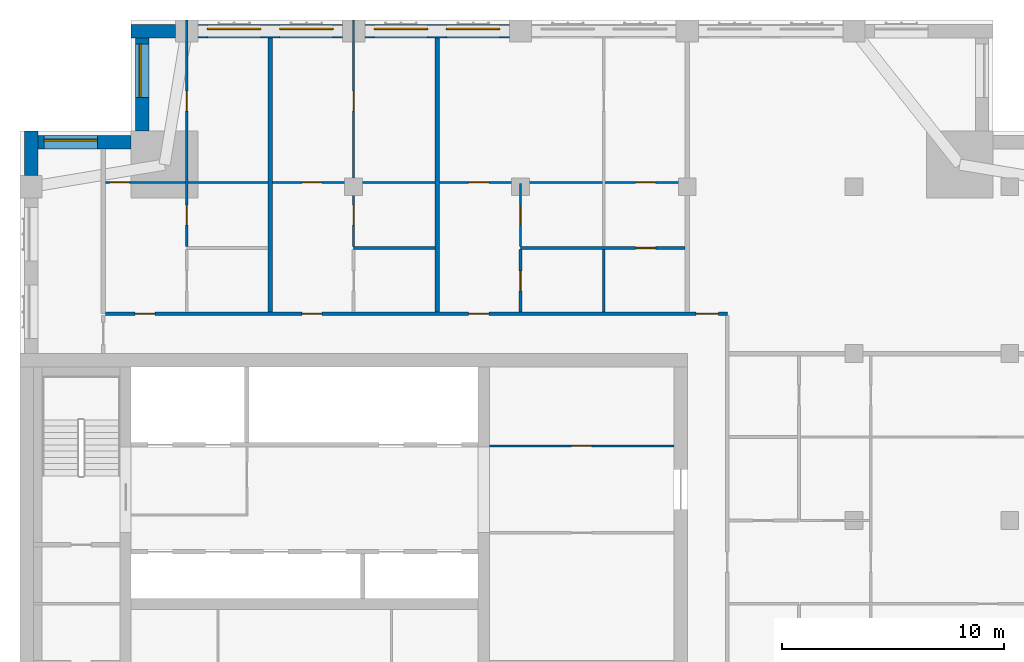
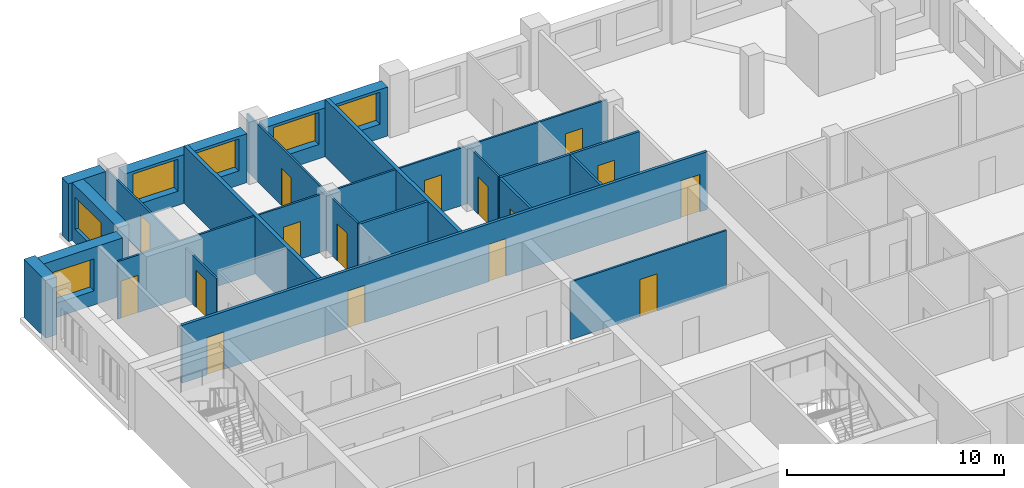
# One storey, part 7 of 11: 18 walls, 16 doors, 6 windows, 22 openings.
"""IFC4 building model written with IfcOpenShell, lengths in metres."""

from ifc_helpers import new_model, si_unit, direction, frame, frame_2d, origin, place, context, subcontext, project, spatial, rectangle, extrude, material, layer, layer_set, type_object, element, fill, save


model = new_model("IFC4")

# Units and contexts
model_context = context("Model", 3, precision=1e-05, world=origin(), true_north=direction((0.0, 1.0)))
body_context = subcontext(model_context, "Body", "Model", "MODEL_VIEW")
ifc_project = project(units=[si_unit("LENGTHUNIT", "METRE"), si_unit("AREAUNIT", "SQUARE_METRE"), si_unit("VOLUMEUNIT", "CUBIC_METRE"), si_unit("PLANEANGLEUNIT", "RADIAN"), si_unit("MASSUNIT", "GRAM", prefix="KILO")], contexts=[model_context])

# Site, building, storey
site_placement = place(None, origin())
site = spatial("IfcSite", under=ifc_project, at=site_placement, CompositionType="ELEMENT")
building_placement = place(site_placement, origin())
building = spatial("IfcBuilding", under=site, at=building_placement, Name="Tamorin Gate", CompositionType="ELEMENT")
storey_placement = place(building_placement, frame((0.0, 0.0, 247.699951171875)))
storey = spatial("IfcBuildingStorey", under=building, at=storey_placement, Name="L62", CompositionType="ELEMENT", Elevation=247.699951171875)

# Wall, openings, windows
ifc_material_1 = material(Name="Precast concrete C40/50", Category="concrete")
ifc_layer_1 = layer(ifc_material_1, 0.60009765625)
ifc_layer_set_1 = layer_set([ifc_layer_1], Name="Precast concrete C40/50")
wall_type_1 = type_object("IfcWallType", Name="Board-marked concrete facade panel 600", PredefinedType="SOLIDWALL", material=ifc_layer_set_1)
wall_1_placement = place(storey_placement, frame((52.0, 97.0, 0.0), z_axis=(0.0, 0.0, 1.0), x_axis=(-1.0, 0.0, 0.0)))
wall_1 = element("IfcWall", 1, at=wall_1_placement, inside=storey, type_object=wall_type_1, Name="Facade panel", PredefinedType="SOLIDWALL", context=body_context, shape_type="SweptSolid", body=[
    extrude(rectangle(XDim=6.5, YDim=0.60009765625, at=frame_2d((3.25, 0.0))), origin(), (0.0, 0.0, 1.0), 2.75),
])
opening_1_placement = place(wall_1_placement, frame((3.675048828125, 0.0, 0.800048828125)))
opening_1 = element("IfcOpeningElement", 2, at=opening_1_placement, cuts=wall_1, Name="Opening WN1", PredefinedType="OPENING", context=body_context, shape_type="SweptSolid", body=[
    extrude(rectangle(XDim=2.39990234375, YDim=1.800048828125, at=frame_2d((1.199951171875, 0.89990234375))), frame((0.0, 0.31005859375, 0.0), z_axis=(0.0, -1.0, 0.0), x_axis=(1.0, 0.0, 0.0)), (0.0, 0.0, 1.0), 0.6201171875),
])
opening_2_placement = place(wall_1_placement, frame((0.425048828125, 0.0, 0.800048828125)))
opening_2 = element("IfcOpeningElement", 3, at=opening_2_placement, cuts=wall_1, Name="Opening WN1", PredefinedType="OPENING", context=body_context, shape_type="SweptSolid", body=[
    extrude(rectangle(XDim=2.39990234375, YDim=1.800048828125, at=frame_2d((1.199951171875, 0.89990234375))), frame((0.0, 0.31005859375, 0.0), z_axis=(0.0, -1.0, 0.0), x_axis=(1.0, 0.0, 0.0)), (0.0, 0.0, 1.0), 0.6201171875),
])
ifc_material_2 = material(Name="Clear glass in aluminium frame", Category="aluminium")
window_type = type_object("IfcWindowType", Name="Deep-set window 2400x1800", PartitioningType="SINGLE_PANEL", PredefinedType="WINDOW", material=ifc_material_2)
window_1_placement = place(opening_1_placement, origin())
window_1 = element("IfcWindow", 4, at=window_1_placement, inside=storey, type_object=window_type, Name="Deep-set window", OverallHeight=1.800048828125, OverallWidth=2.39990234375, PartitioningType="SINGLE_PANEL", PredefinedType="WINDOW", context=body_context, shape_type="SweptSolid", body=[
    extrude(rectangle(XDim=2.39990234375, YDim=1.800048828125, at=frame_2d((1.199951171875, 0.89990234375))), frame((0.0, -0.070068359375, 0.0), z_axis=(0.0, -1.0, 0.0), x_axis=(1.0, 0.0, 0.0)), (0.0, 0.0, 1.0), 0.06005859375),
])
fill(opening_1, window_1)
window_2_placement = place(opening_2_placement, origin())
window_2 = element("IfcWindow", 5, at=window_2_placement, inside=storey, type_object=window_type, Name="Deep-set window", OverallHeight=1.800048828125, OverallWidth=2.39990234375, PartitioningType="SINGLE_PANEL", PredefinedType="WINDOW", context=body_context, shape_type="SweptSolid", body=[
    extrude(rectangle(XDim=2.39990234375, YDim=1.800048828125, at=frame_2d((1.199951171875, 0.89990234375))), frame((0.0, -0.070068359375, 0.0), z_axis=(0.0, -1.0, 0.0), x_axis=(1.0, 0.0, 0.0)), (0.0, 0.0, 1.0), 0.06005859375),
])
fill(opening_2, window_2)

wall_2_placement = place(storey_placement, frame((44.5, 97.0, 0.0), z_axis=(0.0, 0.0, 1.0), x_axis=(-1.0, 0.0, 0.0)))
wall_2 = element("IfcWall", 6, at=wall_2_placement, inside=storey, type_object=wall_type_1, Name="Facade panel", PredefinedType="SOLIDWALL", context=body_context, shape_type="SweptSolid", body=[
    extrude(rectangle(XDim=6.5, YDim=0.60009765625, at=frame_2d((3.25, 0.0))), origin(), (0.0, 0.0, 1.0), 2.75),
])
opening_3_placement = place(wall_2_placement, frame((3.675048828125, 0.0, 0.800048828125)))
opening_3 = element("IfcOpeningElement", 7, at=opening_3_placement, cuts=wall_2, Name="Opening WN1", PredefinedType="OPENING", context=body_context, shape_type="SweptSolid", body=[
    extrude(rectangle(XDim=2.39990234375, YDim=1.800048828125, at=frame_2d((1.199951171875, 0.89990234375))), frame((0.0, 0.31005859375, 0.0), z_axis=(0.0, -1.0, 0.0), x_axis=(1.0, 0.0, 0.0)), (0.0, 0.0, 1.0), 0.6201171875),
])
opening_4_placement = place(wall_2_placement, frame((0.425048828125, 0.0, 0.800048828125)))
opening_4 = element("IfcOpeningElement", 8, at=opening_4_placement, cuts=wall_2, Name="Opening WN1", PredefinedType="OPENING", context=body_context, shape_type="SweptSolid", body=[
    extrude(rectangle(XDim=2.39990234375, YDim=1.800048828125, at=frame_2d((1.199951171875, 0.89990234375))), frame((0.0, 0.31005859375, 0.0), z_axis=(0.0, -1.0, 0.0), x_axis=(1.0, 0.0, 0.0)), (0.0, 0.0, 1.0), 0.6201171875),
])
window_3_placement = place(opening_3_placement, origin())
window_3 = element("IfcWindow", 9, at=window_3_placement, inside=storey, type_object=window_type, Name="Deep-set window", OverallHeight=1.800048828125, OverallWidth=2.39990234375, PartitioningType="SINGLE_PANEL", PredefinedType="WINDOW", context=body_context, shape_type="SweptSolid", body=[
    extrude(rectangle(XDim=2.39990234375, YDim=1.800048828125, at=frame_2d((1.199951171875, 0.89990234375))), frame((0.0, -0.070068359375, 0.0), z_axis=(0.0, -1.0, 0.0), x_axis=(1.0, 0.0, 0.0)), (0.0, 0.0, 1.0), 0.06005859375),
])
fill(opening_3, window_3)
window_4_placement = place(opening_4_placement, origin())
window_4 = element("IfcWindow", 10, at=window_4_placement, inside=storey, type_object=window_type, Name="Deep-set window", OverallHeight=1.800048828125, OverallWidth=2.39990234375, PartitioningType="SINGLE_PANEL", PredefinedType="WINDOW", context=body_context, shape_type="SweptSolid", body=[
    extrude(rectangle(XDim=2.39990234375, YDim=1.800048828125, at=frame_2d((1.199951171875, 0.89990234375))), frame((0.0, -0.070068359375, 0.0), z_axis=(0.0, -1.0, 0.0), x_axis=(1.0, 0.0, 0.0)), (0.0, 0.0, 1.0), 0.06005859375),
])
fill(opening_4, window_4)

# Wall
wall_3_placement = place(storey_placement, frame((37.0, 97.0, 0.0), z_axis=(0.0, 0.0, 1.0), x_axis=(-1.0, 0.0, 0.0)))
element("IfcWall", 11, at=wall_3_placement, inside=storey, type_object=wall_type_1, Name="Facade panel", PredefinedType="SOLIDWALL", context=body_context, shape_type="SweptSolid", body=[
    extrude(rectangle(XDim=2.0, YDim=0.60009765625, at=frame_2d((1.0, 0.0))), origin(), (0.0, 0.0, 1.0), 3.25),
])

# Wall, opening, window
wall_4_placement = place(storey_placement, frame((35.5, 96.699951171875, 0.0), z_axis=(0.0, 0.0, 1.0), x_axis=(0.0, -1.0, 0.0)))
wall_4 = element("IfcWall", 12, at=wall_4_placement, inside=storey, type_object=wall_type_1, Name="Facade panel", PredefinedType="SOLIDWALL", context=body_context, shape_type="SweptSolid", body=[
    extrude(rectangle(XDim=4.199951171875, YDim=0.60009765625, at=frame_2d((2.10009765625, 0.0))), origin(), (0.0, 0.0, 1.0), 3.25),
])
opening_5_placement = place(wall_4_placement, frame((0.27490234375, 0.0, 0.800048828125)))
opening_5 = element("IfcOpeningElement", 13, at=opening_5_placement, cuts=wall_4, Name="Opening WN1", PredefinedType="OPENING", context=body_context, shape_type="SweptSolid", body=[
    extrude(rectangle(XDim=2.39990234375, YDim=1.800048828125, at=frame_2d((1.199951171875, 0.89990234375))), frame((0.0, 0.31005859375, 0.0), z_axis=(0.0, -1.0, 0.0), x_axis=(1.0, 0.0, 0.0)), (0.0, 0.0, 1.0), 0.6201171875),
])
window_5_placement = place(opening_5_placement, origin())
window_5 = element("IfcWindow", 14, at=window_5_placement, inside=storey, type_object=window_type, Name="Deep-set window", OverallHeight=1.800048828125, OverallWidth=2.39990234375, PartitioningType="SINGLE_PANEL", PredefinedType="WINDOW", context=body_context, shape_type="SweptSolid", body=[
    extrude(rectangle(XDim=2.39990234375, YDim=1.800048828125, at=frame_2d((1.199951171875, 0.89990234375))), frame((0.0, -0.070068359375, 0.0), z_axis=(0.0, -1.0, 0.0), x_axis=(1.0, 0.0, 0.0)), (0.0, 0.0, 1.0), 0.06005859375),
])
fill(opening_5, window_5)

wall_5_placement = place(storey_placement, frame((35.0, 92.0, 0.0), z_axis=(0.0, 0.0, 1.0), x_axis=(-1.0, 0.0, 0.0)))
wall_5 = element("IfcWall", 15, at=wall_5_placement, inside=storey, type_object=wall_type_1, Name="Facade panel", PredefinedType="SOLIDWALL", context=body_context, shape_type="SweptSolid", body=[
    extrude(rectangle(XDim=4.199951171875, YDim=0.60009765625, at=frame_2d((2.10009765625, 0.0))), origin(), (0.0, 0.0, 1.0), 3.25),
])
opening_6_placement = place(wall_5_placement, frame((1.52490234375, 0.0, 0.800048828125)))
opening_6 = element("IfcOpeningElement", 16, at=opening_6_placement, cuts=wall_5, Name="Opening WN1", PredefinedType="OPENING", context=body_context, shape_type="SweptSolid", body=[
    extrude(rectangle(XDim=2.39990234375, YDim=1.800048828125, at=frame_2d((1.199951171875, 0.89990234375))), frame((0.0, 0.31005859375, 0.0), z_axis=(0.0, -1.0, 0.0), x_axis=(1.0, 0.0, 0.0)), (0.0, 0.0, 1.0), 0.6201171875),
])
window_6_placement = place(opening_6_placement, origin())
window_6 = element("IfcWindow", 17, at=window_6_placement, inside=storey, type_object=window_type, Name="Deep-set window", OverallHeight=1.800048828125, OverallWidth=2.39990234375, PartitioningType="SINGLE_PANEL", PredefinedType="WINDOW", context=body_context, shape_type="SweptSolid", body=[
    extrude(rectangle(XDim=2.39990234375, YDim=1.800048828125, at=frame_2d((1.199951171875, 0.89990234375))), frame((0.0, -0.070068359375, 0.0), z_axis=(0.0, -1.0, 0.0), x_axis=(1.0, 0.0, 0.0)), (0.0, 0.0, 1.0), 0.06005859375),
])
fill(opening_6, window_6)

# Wall
wall_6_placement = place(storey_placement, frame((30.5, 92.5, 0.0), z_axis=(0.0, 0.0, 1.0), x_axis=(0.0, -1.0, 0.0)))
element("IfcWall", 18, at=wall_6_placement, inside=storey, type_object=wall_type_1, Name="Facade panel", PredefinedType="SOLIDWALL", context=body_context, shape_type="SweptSolid", body=[
    extrude(rectangle(XDim=2.0, YDim=0.60009765625, at=frame_2d((1.0, 0.0))), origin(), (0.0, 0.0, 1.0), 3.25),
])

# Wall, openings, doors
ifc_material_3 = material(Name="Gypsum board partition")
ifc_layer_2 = layer(ifc_material_3, 0.14990234375)
ifc_layer_set_2 = layer_set([ifc_layer_2], Name="Corridor wall 150")
wall_type_2 = type_object("IfcWallType", Name="Corridor wall 150", PredefinedType="PARTITIONING", material=ifc_layer_set_2)
wall_7_placement = place(storey_placement, frame((33.85009765625, 84.300048828125, 0.0), z_axis=(0.0, 0.0, 1.0), x_axis=(1.0, 0.0, 0.0)))
wall_7 = element("IfcWall", 19, at=wall_7_placement, inside=storey, type_object=wall_type_2, Name="Corridor wall 150", PredefinedType="PARTITIONING", context=body_context, shape_type="SweptSolid", body=[
    extrude(rectangle(XDim=27.949951171875, YDim=0.14990234375, at=frame_2d((13.97509765625, 0.0))), origin(), (0.0, 0.0, 1.0), 3.25),
])
opening_7_placement = place(wall_7_placement, frame((1.324951171875, 0.0, 0.0)))
opening_7 = element("IfcOpeningElement", 20, at=opening_7_placement, cuts=wall_7, Name="Opening DR8027", PredefinedType="OPENING", context=body_context, shape_type="SweptSolid", body=[
    extrude(rectangle(XDim=0.89990234375, YDim=2.10009765625, at=frame_2d((0.449951171875, 1.050048828125))), frame((0.0, 0.0849609375, 0.0), z_axis=(0.0, -1.0, 0.0), x_axis=(1.0, 0.0, 0.0)), (0.0, 0.0, 1.0), 0.169921875),
])
opening_8_placement = place(wall_7_placement, frame((8.824951171875, 0.0, 0.0)))
opening_8 = element("IfcOpeningElement", 21, at=opening_8_placement, cuts=wall_7, Name="Opening DR8032", PredefinedType="OPENING", context=body_context, shape_type="SweptSolid", body=[
    extrude(rectangle(XDim=0.89990234375, YDim=2.10009765625, at=frame_2d((0.449951171875, 1.050048828125))), frame((0.0, 0.0849609375, 0.0), z_axis=(0.0, -1.0, 0.0), x_axis=(1.0, 0.0, 0.0)), (0.0, 0.0, 1.0), 0.169921875),
])
opening_9_placement = place(wall_7_placement, frame((16.324951171875, 0.0, 0.0)))
opening_9 = element("IfcOpeningElement", 22, at=opening_9_placement, cuts=wall_7, Name="Opening DR8037", PredefinedType="OPENING", context=body_context, shape_type="SweptSolid", body=[
    extrude(rectangle(XDim=0.89990234375, YDim=2.10009765625, at=frame_2d((0.449951171875, 1.050048828125))), frame((0.0, 0.0849609375, 0.0), z_axis=(0.0, -1.0, 0.0), x_axis=(1.0, 0.0, 0.0)), (0.0, 0.0, 1.0), 0.169921875),
])
opening_10_placement = place(wall_7_placement, frame((26.550048828125, 0.0, 0.0)))
opening_10 = element("IfcOpeningElement", 23, at=opening_10_placement, cuts=wall_7, Name="Opening DR8044", PredefinedType="OPENING", context=body_context, shape_type="SweptSolid", body=[
    extrude(rectangle(XDim=1.0, YDim=2.10009765625, at=frame_2d((0.5, 1.050048828125))), frame((0.0, 0.0849609375, 0.0), z_axis=(0.0, -1.0, 0.0), x_axis=(1.0, 0.0, 0.0)), (0.0, 0.0, 1.0), 0.169921875),
])
ifc_material_4 = material(Name="Timber door leaf", Category="wood")
door_type_1 = type_object("IfcDoorType", Name="Door 1000 x 2100 FD30S", OperationType="NOTDEFINED", PredefinedType="DOOR", material=ifc_material_4)
door_1_placement = place(opening_10_placement, origin())
door_1 = element("IfcDoor", 24, at=door_1_placement, inside=storey, type_object=door_type_1, Name="Door DR8044", OperationType="SINGLE_SWING_LEFT", OverallHeight=2.10009765625, OverallWidth=1.0, PredefinedType="DOOR", context=body_context, shape_type="SweptSolid", body=[
    extrude(rectangle(XDim=1.0, YDim=2.10009765625, at=frame_2d((0.5, 1.050048828125))), frame((0.0, 0.02490234375, 0.0), z_axis=(0.0, -1.0, 0.0), x_axis=(1.0, 0.0, 0.0)), (0.0, 0.0, 1.0), 0.050048828125),
])
fill(opening_10, door_1)
door_type_2 = type_object("IfcDoorType", Name="Door 900 x 2100 FD30S", OperationType="NOTDEFINED", PredefinedType="DOOR", material=ifc_material_4)
door_2_placement = place(opening_7_placement, origin())
door_2 = element("IfcDoor", 25, at=door_2_placement, inside=storey, type_object=door_type_2, Name="Door DR8027", OperationType="SINGLE_SWING_LEFT", OverallHeight=2.10009765625, OverallWidth=0.89990234375, PredefinedType="DOOR", context=body_context, shape_type="SweptSolid", body=[
    extrude(rectangle(XDim=0.89990234375, YDim=2.10009765625, at=frame_2d((0.449951171875, 1.050048828125))), frame((0.0, 0.02490234375, 0.0), z_axis=(0.0, -1.0, 0.0), x_axis=(1.0, 0.0, 0.0)), (0.0, 0.0, 1.0), 0.050048828125),
])
fill(opening_7, door_2)
door_3_placement = place(opening_8_placement, origin())
door_3 = element("IfcDoor", 26, at=door_3_placement, inside=storey, type_object=door_type_2, Name="Door DR8032", OperationType="SINGLE_SWING_LEFT", OverallHeight=2.10009765625, OverallWidth=0.89990234375, PredefinedType="DOOR", context=body_context, shape_type="SweptSolid", body=[
    extrude(rectangle(XDim=0.89990234375, YDim=2.10009765625, at=frame_2d((0.449951171875, 1.050048828125))), frame((0.0, 0.02490234375, 0.0), z_axis=(0.0, -1.0, 0.0), x_axis=(1.0, 0.0, 0.0)), (0.0, 0.0, 1.0), 0.050048828125),
])
fill(opening_8, door_3)
door_4_placement = place(opening_9_placement, origin())
door_4 = element("IfcDoor", 27, at=door_4_placement, inside=storey, type_object=door_type_2, Name="Door DR8037", OperationType="SINGLE_SWING_LEFT", OverallHeight=2.10009765625, OverallWidth=0.89990234375, PredefinedType="DOOR", context=body_context, shape_type="SweptSolid", body=[
    extrude(rectangle(XDim=0.89990234375, YDim=2.10009765625, at=frame_2d((0.449951171875, 1.050048828125))), frame((0.0, 0.02490234375, 0.0), z_axis=(0.0, -1.0, 0.0), x_axis=(1.0, 0.0, 0.0)), (0.0, 0.0, 1.0), 0.050048828125),
])
fill(opening_9, door_4)

# Walls
ifc_layer_3 = layer(ifc_material_3, 0.199951171875)
ifc_layer_set_3 = layer_set([ifc_layer_3], Name="Demising wall 200")
wall_type_3 = type_object("IfcWallType", Name="Demising wall 200", PredefinedType="PARTITIONING", material=ifc_layer_set_3)
for number, where, z_axis, x_axis, name in (
    (28, (41.25, 84.375, 0.0), (0.0, 0.0, 1.0), (0.0, 1.0, 0.0), "Demising wall 200"),
    (29, (48.75, 84.375, 0.0), (0.0, 0.0, 1.0), (0.0, 1.0, 0.0), "Demising wall 200"),
):
    element("IfcWall", number, at=place(storey_placement, frame(where, z_axis=z_axis, x_axis=x_axis)), inside=storey, type_object=wall_type_3, Name=name, PredefinedType="PARTITIONING", context=body_context, shape_type="SweptSolid", body=[
        extrude(rectangle(XDim=12.31494140625, YDim=0.199951171875, at=frame_2d((6.157470703125, 0.0))), origin(), (0.0, 0.0, 1.0), 3.25),
    ])

# Wall, openings, doors
ifc_layer_4 = layer(ifc_material_3, 0.10009765625)
ifc_layer_set_4 = layer_set([ifc_layer_4], Name="Room partition 100")
wall_type_4 = type_object("IfcWallType", Name="Room partition 100", PredefinedType="PARTITIONING", material=ifc_layer_set_4)
wall_8_placement = place(storey_placement, frame((33.85009765625, 90.199951171875, 0.0), z_axis=(0.0, 0.0, 1.0), x_axis=(1.0, 0.0, 0.0)))
wall_8 = element("IfcWall", 30, at=wall_8_placement, inside=storey, type_object=wall_type_4, Name="Room partition 100", PredefinedType="PARTITIONING", context=body_context, shape_type="SweptSolid", body=[
    extrude(rectangle(XDim=26.0498046875, YDim=0.10009765625, at=frame_2d((13.02490234375, 0.0))), origin(), (0.0, 0.0, 1.0), 3.25),
])
opening_11_placement = place(wall_8_placement, frame((0.175048828125, 0.0, 0.0)))
opening_11 = element("IfcOpeningElement", 31, at=opening_11_placement, cuts=wall_8, Name="Opening DR8028", PredefinedType="OPENING", context=body_context, shape_type="SweptSolid", body=[
    extrude(rectangle(XDim=0.89990234375, YDim=2.10009765625, at=frame_2d((0.449951171875, 1.050048828125))), frame((0.0, 0.06005859375, 0.0), z_axis=(0.0, -1.0, 0.0), x_axis=(1.0, 0.0, 0.0)), (0.0, 0.0, 1.0), 0.1201171875),
])
opening_12_placement = place(wall_8_placement, frame((8.824951171875, 0.0, 0.0)))
opening_12 = element("IfcOpeningElement", 32, at=opening_12_placement, cuts=wall_8, Name="Opening DR8033", PredefinedType="OPENING", context=body_context, shape_type="SweptSolid", body=[
    extrude(rectangle(XDim=0.89990234375, YDim=2.10009765625, at=frame_2d((0.449951171875, 1.050048828125))), frame((0.0, 0.06005859375, 0.0), z_axis=(0.0, -1.0, 0.0), x_axis=(1.0, 0.0, 0.0)), (0.0, 0.0, 1.0), 0.1201171875),
])
opening_13_placement = place(wall_8_placement, frame((16.324951171875, 0.0, 0.0)))
opening_13 = element("IfcOpeningElement", 33, at=opening_13_placement, cuts=wall_8, Name="Opening DR8038", PredefinedType="OPENING", context=body_context, shape_type="SweptSolid", body=[
    extrude(rectangle(XDim=0.89990234375, YDim=2.10009765625, at=frame_2d((0.449951171875, 1.050048828125))), frame((0.0, 0.06005859375, 0.0), z_axis=(0.0, -1.0, 0.0), x_axis=(1.0, 0.0, 0.0)), (0.0, 0.0, 1.0), 0.1201171875),
])
opening_14_placement = place(wall_8_placement, frame((23.824951171875, 0.0, 0.0)))
opening_14 = element("IfcOpeningElement", 34, at=opening_14_placement, cuts=wall_8, Name="Opening DR8041", PredefinedType="OPENING", context=body_context, shape_type="SweptSolid", body=[
    extrude(rectangle(XDim=0.89990234375, YDim=2.10009765625, at=frame_2d((0.449951171875, 1.050048828125))), frame((0.0, 0.06005859375, 0.0), z_axis=(0.0, -1.0, 0.0), x_axis=(1.0, 0.0, 0.0)), (0.0, 0.0, 1.0), 0.1201171875),
])
door_type_3 = type_object("IfcDoorType", Name="Door 900 x 2100", OperationType="NOTDEFINED", PredefinedType="DOOR", material=ifc_material_4)
door_5_placement = place(opening_11_placement, origin())
door_5 = element("IfcDoor", 35, at=door_5_placement, inside=storey, type_object=door_type_3, Name="Door DR8028", OperationType="SINGLE_SWING_RIGHT", OverallHeight=2.10009765625, OverallWidth=0.89990234375, PredefinedType="DOOR", context=body_context, shape_type="SweptSolid", body=[
    extrude(rectangle(XDim=0.89990234375, YDim=2.10009765625, at=frame_2d((0.449951171875, 1.050048828125))), frame((0.0, 0.02490234375, 0.0), z_axis=(0.0, -1.0, 0.0), x_axis=(1.0, 0.0, 0.0)), (0.0, 0.0, 1.0), 0.050048828125),
])
fill(opening_11, door_5)
door_6_placement = place(opening_12_placement, origin())
door_6 = element("IfcDoor", 36, at=door_6_placement, inside=storey, type_object=door_type_3, Name="Door DR8033", OperationType="SINGLE_SWING_RIGHT", OverallHeight=2.10009765625, OverallWidth=0.89990234375, PredefinedType="DOOR", context=body_context, shape_type="SweptSolid", body=[
    extrude(rectangle(XDim=0.89990234375, YDim=2.10009765625, at=frame_2d((0.449951171875, 1.050048828125))), frame((0.0, 0.02490234375, 0.0), z_axis=(0.0, -1.0, 0.0), x_axis=(1.0, 0.0, 0.0)), (0.0, 0.0, 1.0), 0.050048828125),
])
fill(opening_12, door_6)
door_7_placement = place(opening_13_placement, origin())
door_7 = element("IfcDoor", 37, at=door_7_placement, inside=storey, type_object=door_type_3, Name="Door DR8038", OperationType="SINGLE_SWING_RIGHT", OverallHeight=2.10009765625, OverallWidth=0.89990234375, PredefinedType="DOOR", context=body_context, shape_type="SweptSolid", body=[
    extrude(rectangle(XDim=0.89990234375, YDim=2.10009765625, at=frame_2d((0.449951171875, 1.050048828125))), frame((0.0, 0.02490234375, 0.0), z_axis=(0.0, -1.0, 0.0), x_axis=(1.0, 0.0, 0.0)), (0.0, 0.0, 1.0), 0.050048828125),
])
fill(opening_13, door_7)
door_8_placement = place(opening_14_placement, origin())
door_8 = element("IfcDoor", 38, at=door_8_placement, inside=storey, type_object=door_type_3, Name="Door DR8041", OperationType="SINGLE_SWING_RIGHT", OverallHeight=2.10009765625, OverallWidth=0.89990234375, PredefinedType="DOOR", context=body_context, shape_type="SweptSolid", body=[
    extrude(rectangle(XDim=0.89990234375, YDim=2.10009765625, at=frame_2d((0.449951171875, 1.050048828125))), frame((0.0, 0.02490234375, 0.0), z_axis=(0.0, -1.0, 0.0), x_axis=(1.0, 0.0, 0.0)), (0.0, 0.0, 1.0), 0.050048828125),
])
fill(opening_14, door_8)

wall_9_placement = place(storey_placement, frame((37.5, 87.3125, 0.0), z_axis=(0.0, 0.0, 1.0), x_axis=(0.0, 1.0, 0.0)))
wall_9 = element("IfcWall", 39, at=wall_9_placement, inside=storey, type_object=wall_type_4, Name="Room partition 100", PredefinedType="PARTITIONING", context=body_context, shape_type="SweptSolid", body=[
    extrude(rectangle(XDim=10.1875, YDim=0.10009765625, at=frame_2d((5.09375, 0.0))), origin(), (0.0, 0.0, 1.0), 2.75),
])
opening_15_placement = place(wall_9_placement, frame((0.96240234375, 0.0, 0.0)))
opening_15 = element("IfcOpeningElement", 40, at=opening_15_placement, cuts=wall_9, Name="Opening DR8029", PredefinedType="OPENING", context=body_context, shape_type="SweptSolid", body=[
    extrude(rectangle(XDim=0.89990234375, YDim=2.10009765625, at=frame_2d((0.449951171875, 1.050048828125))), frame((0.0, 0.06005859375, 0.0), z_axis=(0.0, -1.0, 0.0), x_axis=(1.0, 0.0, 0.0)), (0.0, 0.0, 1.0), 0.1201171875),
])
opening_16_placement = place(wall_9_placement, frame((6.08740234375, 0.0, 0.0)))
opening_16 = element("IfcOpeningElement", 41, at=opening_16_placement, cuts=wall_9, Name="Opening DR8031", PredefinedType="OPENING", context=body_context, shape_type="SweptSolid", body=[
    extrude(rectangle(XDim=0.89990234375, YDim=2.10009765625, at=frame_2d((0.449951171875, 1.050048828125))), frame((0.0, 0.06005859375, 0.0), z_axis=(0.0, -1.0, 0.0), x_axis=(1.0, 0.0, 0.0)), (0.0, 0.0, 1.0), 0.1201171875),
])
door_9_placement = place(opening_15_placement, origin())
door_9 = element("IfcDoor", 42, at=door_9_placement, inside=storey, type_object=door_type_3, Name="Door DR8029", OperationType="SINGLE_SWING_RIGHT", OverallHeight=2.10009765625, OverallWidth=0.89990234375, PredefinedType="DOOR", context=body_context, shape_type="SweptSolid", body=[
    extrude(rectangle(XDim=0.89990234375, YDim=2.10009765625, at=frame_2d((0.449951171875, 1.050048828125))), frame((0.0, 0.02490234375, 0.0), z_axis=(0.0, -1.0, 0.0), x_axis=(1.0, 0.0, 0.0)), (0.0, 0.0, 1.0), 0.050048828125),
])
fill(opening_15, door_9)
door_10_placement = place(opening_16_placement, origin())
door_10 = element("IfcDoor", 43, at=door_10_placement, inside=storey, type_object=door_type_3, Name="Door DR8031", OperationType="SINGLE_SWING_LEFT", OverallHeight=2.10009765625, OverallWidth=0.89990234375, PredefinedType="DOOR", context=body_context, shape_type="SweptSolid", body=[
    extrude(rectangle(XDim=0.89990234375, YDim=2.10009765625, at=frame_2d((0.449951171875, 1.050048828125))), frame((0.0, 0.02490234375, 0.0), z_axis=(0.0, -1.0, 0.0), x_axis=(1.0, 0.0, 0.0)), (0.0, 0.0, 1.0), 0.050048828125),
])
fill(opening_16, door_10)

wall_10_placement = place(storey_placement, frame((45.0, 87.3125, 0.0), z_axis=(0.0, 0.0, 1.0), x_axis=(0.0, 1.0, 0.0)))
wall_10 = element("IfcWall", 44, at=wall_10_placement, inside=storey, type_object=wall_type_4, Name="Room partition 100", PredefinedType="PARTITIONING", context=body_context, shape_type="SweptSolid", body=[
    extrude(rectangle(XDim=10.1875, YDim=0.10009765625, at=frame_2d((5.09375, 0.0))), origin(), (0.0, 0.0, 1.0), 3.25),
])
opening_17_placement = place(wall_10_placement, frame((0.96240234375, 0.0, 0.0)))
opening_17 = element("IfcOpeningElement", 45, at=opening_17_placement, cuts=wall_10, Name="Opening DR8034", PredefinedType="OPENING", context=body_context, shape_type="SweptSolid", body=[
    extrude(rectangle(XDim=0.89990234375, YDim=2.10009765625, at=frame_2d((0.449951171875, 1.050048828125))), frame((0.0, 0.06005859375, 0.0), z_axis=(0.0, -1.0, 0.0), x_axis=(1.0, 0.0, 0.0)), (0.0, 0.0, 1.0), 0.1201171875),
])
opening_18_placement = place(wall_10_placement, frame((6.08740234375, 0.0, 0.0)))
opening_18 = element("IfcOpeningElement", 46, at=opening_18_placement, cuts=wall_10, Name="Opening DR8036", PredefinedType="OPENING", context=body_context, shape_type="SweptSolid", body=[
    extrude(rectangle(XDim=0.89990234375, YDim=2.10009765625, at=frame_2d((0.449951171875, 1.050048828125))), frame((0.0, 0.06005859375, 0.0), z_axis=(0.0, -1.0, 0.0), x_axis=(1.0, 0.0, 0.0)), (0.0, 0.0, 1.0), 0.1201171875),
])
door_11_placement = place(opening_17_placement, origin())
door_11 = element("IfcDoor", 47, at=door_11_placement, inside=storey, type_object=door_type_3, Name="Door DR8034", OperationType="SINGLE_SWING_RIGHT", OverallHeight=2.10009765625, OverallWidth=0.89990234375, PredefinedType="DOOR", context=body_context, shape_type="SweptSolid", body=[
    extrude(rectangle(XDim=0.89990234375, YDim=2.10009765625, at=frame_2d((0.449951171875, 1.050048828125))), frame((0.0, 0.02490234375, 0.0), z_axis=(0.0, -1.0, 0.0), x_axis=(1.0, 0.0, 0.0)), (0.0, 0.0, 1.0), 0.050048828125),
])
fill(opening_17, door_11)
door_12_placement = place(opening_18_placement, origin())
door_12 = element("IfcDoor", 48, at=door_12_placement, inside=storey, type_object=door_type_3, Name="Door DR8036", OperationType="SINGLE_SWING_LEFT", OverallHeight=2.10009765625, OverallWidth=0.89990234375, PredefinedType="DOOR", context=body_context, shape_type="SweptSolid", body=[
    extrude(rectangle(XDim=0.89990234375, YDim=2.10009765625, at=frame_2d((0.449951171875, 1.050048828125))), frame((0.0, 0.02490234375, 0.0), z_axis=(0.0, -1.0, 0.0), x_axis=(1.0, 0.0, 0.0)), (0.0, 0.0, 1.0), 0.050048828125),
])
fill(opening_18, door_12)

# Wall, opening, door
wall_11_placement = place(storey_placement, frame((52.5, 87.3125, 0.0), z_axis=(0.0, 0.0, 1.0), x_axis=(0.0, 1.0, 0.0)))
wall_11 = element("IfcWall", 49, at=wall_11_placement, inside=storey, type_object=wall_type_4, Name="Room partition 100", PredefinedType="PARTITIONING", context=body_context, shape_type="SweptSolid", body=[
    extrude(rectangle(XDim=2.83740234375, YDim=0.10009765625, at=frame_2d((1.418701171875, 0.0))), origin(), (0.0, 0.0, 1.0), 3.25),
])
opening_19_placement = place(wall_11_placement, frame((0.96240234375, 0.0, 0.0)))
opening_19 = element("IfcOpeningElement", 50, at=opening_19_placement, cuts=wall_11, Name="Opening DR8039", PredefinedType="OPENING", context=body_context, shape_type="SweptSolid", body=[
    extrude(rectangle(XDim=0.89990234375, YDim=2.10009765625, at=frame_2d((0.449951171875, 1.050048828125))), frame((0.0, 0.06005859375, 0.0), z_axis=(0.0, -1.0, 0.0), x_axis=(1.0, 0.0, 0.0)), (0.0, 0.0, 1.0), 0.1201171875),
])
door_13_placement = place(opening_19_placement, origin())
door_13 = element("IfcDoor", 51, at=door_13_placement, inside=storey, type_object=door_type_3, Name="Door DR8039", OperationType="SINGLE_SWING_RIGHT", OverallHeight=2.10009765625, OverallWidth=0.89990234375, PredefinedType="DOOR", context=body_context, shape_type="SweptSolid", body=[
    extrude(rectangle(XDim=0.89990234375, YDim=2.10009765625, at=frame_2d((0.449951171875, 1.050048828125))), frame((0.0, 0.02490234375, 0.0), z_axis=(0.0, -1.0, 0.0), x_axis=(1.0, 0.0, 0.0)), (0.0, 0.0, 1.0), 0.050048828125),
])
fill(opening_19, door_13)

ifc_layer_5 = layer(ifc_material_3, 0.10009765625)
ifc_layer_set_5 = layer_set([ifc_layer_5], Name="Service room partition 100 EI 60")
wall_type_5 = type_object("IfcWallType", Name="Service room partition 100 EI 60", PredefinedType="PARTITIONING", material=ifc_layer_set_5)
wall_12_placement = place(storey_placement, frame((51.10009765625, 78.35009765625, 0.0), z_axis=(0.0, 0.0, 1.0), x_axis=(1.0, 0.0, 0.0)))
wall_12 = element("IfcWall", 52, at=wall_12_placement, inside=storey, type_object=wall_type_5, Name="Service room wall", PredefinedType="PARTITIONING", context=body_context, shape_type="SweptSolid", body=[
    extrude(rectangle(XDim=8.2998046875, YDim=0.10009765625, at=frame_2d((4.14990234375, 0.0))), origin(), (0.0, 0.0, 1.0), 3.25),
])
opening_20_placement = place(wall_12_placement, frame((3.699951171875, 0.0, 0.0)))
opening_20 = element("IfcOpeningElement", 53, at=opening_20_placement, cuts=wall_12, Name="Opening DK1", PredefinedType="OPENING", context=body_context, shape_type="SweptSolid", body=[
    extrude(rectangle(XDim=0.89990234375, YDim=2.10009765625, at=frame_2d((0.449951171875, 1.050048828125))), frame((0.0, 0.06005859375, 0.0), z_axis=(0.0, -1.0, 0.0), x_axis=(1.0, 0.0, 0.0)), (0.0, 0.0, 1.0), 0.1201171875),
])
ifc_material_5 = material(Name="Timber fire door", Category="wood")
door_type_4 = type_object("IfcDoorType", Name="Service room door 900 x 2100 EI 60", OperationType="SINGLE_SWING_LEFT", PredefinedType="DOOR", material=ifc_material_5)
door_14_placement = place(opening_20_placement, origin())
door_14 = element("IfcDoor", 54, at=door_14_placement, inside=storey, type_object=door_type_4, Name="Door Pantry", OperationType="SINGLE_SWING_RIGHT", OverallHeight=2.10009765625, OverallWidth=0.89990234375, PredefinedType="DOOR", context=body_context, shape_type="SweptSolid", body=[
    extrude(rectangle(XDim=0.89990234375, YDim=2.10009765625, at=frame_2d((0.449951171875, 1.050048828125))), frame((0.0, 0.02490234375, 0.0), z_axis=(0.0, -1.0, 0.0), x_axis=(1.0, 0.0, 0.0)), (0.0, 0.0, 1.0), 0.050048828125),
])
fill(opening_20, door_14)

# Wall
ifc_layer_6 = layer(ifc_material_3, 0.125)
ifc_layer_set_6 = layer_set([ifc_layer_6], Name="Wet wall 125")
wall_type_6 = type_object("IfcWallType", Name="Wet wall 125", PredefinedType="PARTITIONING", material=ifc_layer_set_6)
wall_13_placement = place(storey_placement, frame((45.0, 87.25, 0.0), z_axis=(0.0, 0.0, 1.0), x_axis=(1.0, 0.0, 0.0)))
element("IfcWall", 55, at=wall_13_placement, inside=storey, type_object=wall_type_6, Name="Wet wall 125", PredefinedType="PARTITIONING", context=body_context, shape_type="SweptSolid", body=[
    extrude(rectangle(XDim=3.64990234375, YDim=0.125, at=frame_2d((1.824951171875, 0.0))), origin(), (0.0, 0.0, 1.0), 3.25),
])

# Wall, opening, door
wall_14_placement = place(storey_placement, frame((52.5, 87.25, 0.0), z_axis=(0.0, 0.0, 1.0), x_axis=(1.0, 0.0, 0.0)))
wall_14 = element("IfcWall", 56, at=wall_14_placement, inside=storey, type_object=wall_type_6, Name="Wet wall 125", PredefinedType="PARTITIONING", context=body_context, shape_type="SweptSolid", body=[
    extrude(rectangle(XDim=7.39990234375, YDim=0.125, at=frame_2d((3.699951171875, 0.0))), origin(), (0.0, 0.0, 1.0), 3.25),
])
opening_21_placement = place(wall_14_placement, frame((5.175048828125, 0.0, 0.0)))
opening_21 = element("IfcOpeningElement", 57, at=opening_21_placement, cuts=wall_14, Name="Opening DR8042", PredefinedType="OPENING", context=body_context, shape_type="SweptSolid", body=[
    extrude(rectangle(XDim=0.89990234375, YDim=2.10009765625, at=frame_2d((0.449951171875, 1.050048828125))), frame((0.0, 0.072509765625, 0.0), z_axis=(0.0, -1.0, 0.0), x_axis=(1.0, 0.0, 0.0)), (0.0, 0.0, 1.0), 0.14501953125),
])
door_15_placement = place(opening_21_placement, origin())
door_15 = element("IfcDoor", 58, at=door_15_placement, inside=storey, type_object=door_type_3, Name="Door DR8042", OperationType="SINGLE_SWING_RIGHT", OverallHeight=2.10009765625, OverallWidth=0.89990234375, PredefinedType="DOOR", context=body_context, shape_type="SweptSolid", body=[
    extrude(rectangle(XDim=0.89990234375, YDim=2.10009765625, at=frame_2d((0.449951171875, 1.050048828125))), frame((0.0, 0.02490234375, 0.0), z_axis=(0.0, -1.0, 0.0), x_axis=(1.0, 0.0, 0.0)), (0.0, 0.0, 1.0), 0.050048828125),
])
fill(opening_21, door_15)

wall_15_placement = place(storey_placement, frame((52.5, 84.375, 0.0), z_axis=(0.0, 0.0, 1.0), x_axis=(0.0, 1.0, 0.0)))
wall_15 = element("IfcWall", 59, at=wall_15_placement, inside=storey, type_object=wall_type_6, Name="Wet wall 125", PredefinedType="PARTITIONING", context=body_context, shape_type="SweptSolid", body=[
    extrude(rectangle(XDim=2.8125, YDim=0.125, at=frame_2d((1.40625, 0.0))), origin(), (0.0, 0.0, 1.0), 3.25),
])
opening_22_placement = place(wall_15_placement, frame((0.949951171875, 0.0, 0.0)))
opening_22 = element("IfcOpeningElement", 60, at=opening_22_placement, cuts=wall_15, Name="Opening DR8040", PredefinedType="OPENING", context=body_context, shape_type="SweptSolid", body=[
    extrude(rectangle(XDim=0.89990234375, YDim=2.10009765625, at=frame_2d((0.449951171875, 1.050048828125))), frame((0.0, 0.072509765625, 0.0), z_axis=(0.0, -1.0, 0.0), x_axis=(1.0, 0.0, 0.0)), (0.0, 0.0, 1.0), 0.14501953125),
])
door_16_placement = place(opening_22_placement, origin())
door_16 = element("IfcDoor", 61, at=door_16_placement, inside=storey, type_object=door_type_3, Name="Door DR8040", OperationType="SINGLE_SWING_RIGHT", OverallHeight=2.10009765625, OverallWidth=0.89990234375, PredefinedType="DOOR", context=body_context, shape_type="SweptSolid", body=[
    extrude(rectangle(XDim=0.89990234375, YDim=2.10009765625, at=frame_2d((0.449951171875, 1.050048828125))), frame((0.0, 0.02490234375, 0.0), z_axis=(0.0, -1.0, 0.0), x_axis=(1.0, 0.0, 0.0)), (0.0, 0.0, 1.0), 0.050048828125),
])
fill(opening_22, door_16)

# Wall
wall_16_placement = place(storey_placement, frame((56.25, 84.375, 0.0), z_axis=(0.0, 0.0, 1.0), x_axis=(0.0, 1.0, 0.0)))
element("IfcWall", 62, at=wall_16_placement, inside=storey, type_object=wall_type_6, Name="Wet wall 125", PredefinedType="PARTITIONING", context=body_context, shape_type="SweptSolid", body=[
    extrude(rectangle(XDim=2.8125, YDim=0.125, at=frame_2d((1.40625, 0.0))), origin(), (0.0, 0.0, 1.0), 3.25),
])

save(model, "model.ifc")
